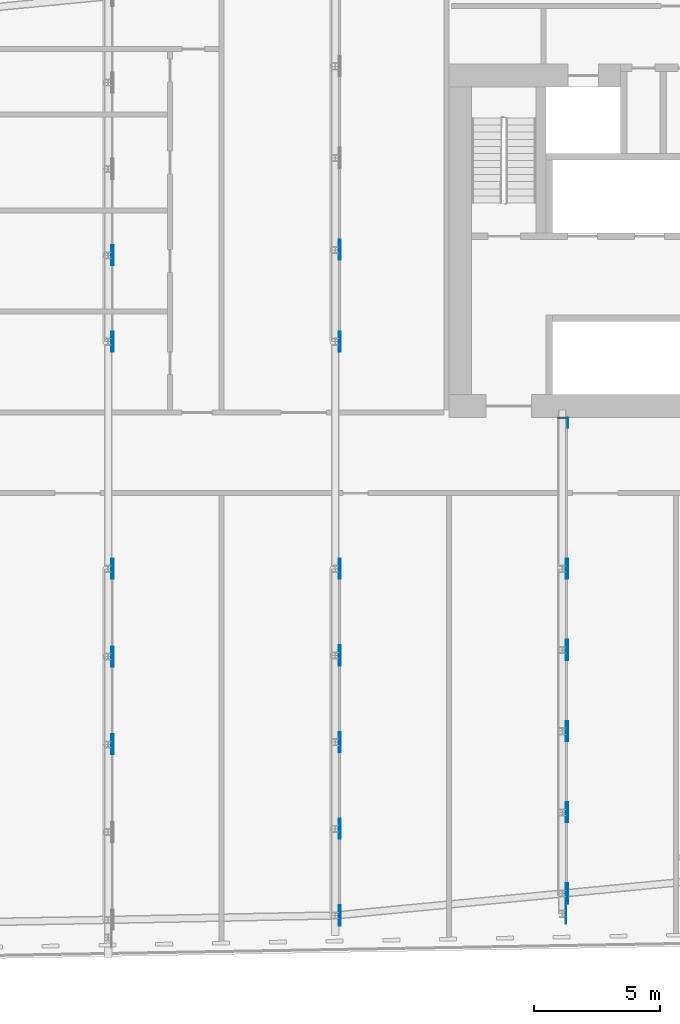
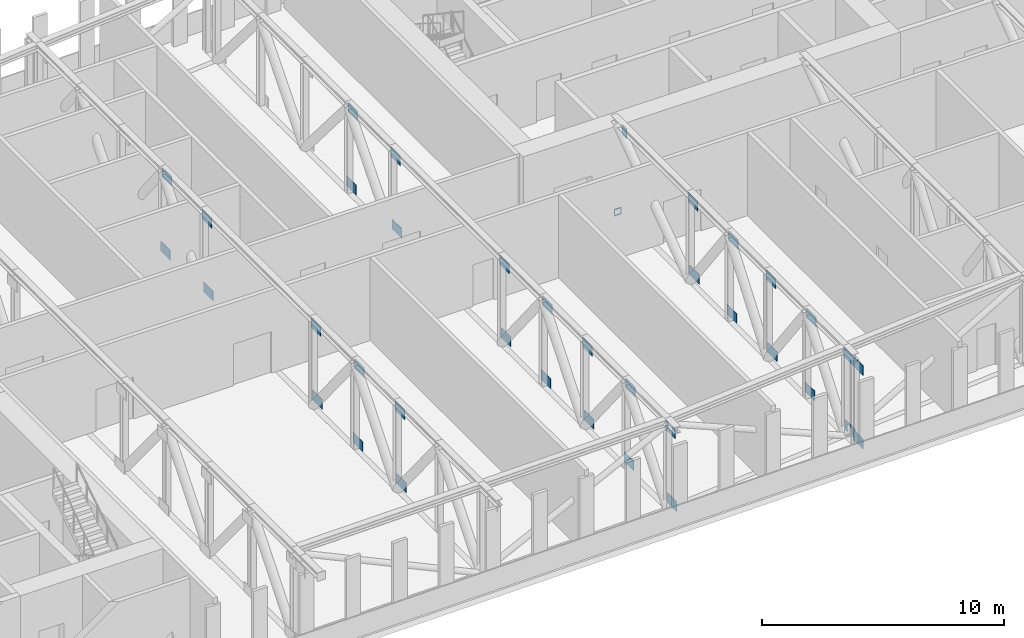
# One storey, part 17 of 26: 38 discrete accessories.
"""IFC4 building model written with IfcOpenShell, lengths in metres."""

from ifc_helpers import new_model, si_unit, direction, frame, origin, place, context, subcontext, project, spatial, polyline, outline, extrude, material, layer, layer_set, type_object, element, save


model = new_model("IFC4")

# Units and contexts
model_context = context("Model", 3, precision=1e-05, world=origin(), true_north=direction((0.0, 1.0)))
body_context = subcontext(model_context, "Body", "Model", "MODEL_VIEW")
ifc_project = project(units=[si_unit("LENGTHUNIT", "METRE"), si_unit("AREAUNIT", "SQUARE_METRE"), si_unit("VOLUMEUNIT", "CUBIC_METRE"), si_unit("PLANEANGLEUNIT", "RADIAN"), si_unit("MASSUNIT", "GRAM", prefix="KILO")], contexts=[model_context])

# Site, building, storey
site_placement = place(None, origin())
site = spatial("IfcSite", under=ifc_project, at=site_placement, CompositionType="ELEMENT")
building_placement = place(site_placement, origin())
building = spatial("IfcBuilding", under=site, at=building_placement, Name="Kajstack Hotel Tower", CompositionType="ELEMENT")
storey_placement = place(building_placement, frame((0.0, 0.0, 257.300048828125)))
storey = spatial("IfcBuildingStorey", under=building, at=storey_placement, Name="L64", CompositionType="ELEMENT", Elevation=257.300048828125)

# Discrete accessories
ifc_material = material(Name="Steel S355J2", Category="steel")
ifc_layer_1 = layer(ifc_material, 0.02490234375)
ifc_layer_set_1 = layer_set([ifc_layer_1], Name="CAST-IN PLATE")
discrete_accessory_type_1 = type_object("IfcDiscreteAccessoryType", Name="CAST-IN PLATE", PredefinedType="BRACKET", material=ifc_layer_set_1)
discrete_accessory_1_placement = place(storey_placement, frame((18.0, 1.47509765625, -0.130126953125), z_axis=(0.0, 1.0, 0.0), x_axis=(-1.0, 0.0, 0.0)))
element("IfcDiscreteAccessory", 1, at=discrete_accessory_1_placement, inside=storey, type_object=discrete_accessory_type_1, Name="Cast-in plate L64-025", PredefinedType="BRACKET", context=body_context, shape_type="SweptSolid", body=[
    extrude(outline(polyline([(-0.179931640625, -0.179931640625), (0.179931640625, -0.179931640625), (0.179931640625, 0.179931640625), (-0.179931640625, 0.179931640625), (-0.179931640625, -0.179931640625)]), holes=[polyline([(-0.1298828125, -0.1298828125), (-0.1298828125, 0.1298828125), (0.1298828125, 0.1298828125), (0.1298828125, -0.1298828125), (-0.1298828125, -0.1298828125)])]), origin(), (0.0, 0.0, 1.0), 0.02490234375),
])
ifc_layer_2 = layer(ifc_material, 0.02001953125)
ifc_layer_set_2 = layer_set([ifc_layer_2], Name="GUSSET PLATE")
discrete_accessory_type_2 = type_object("IfcDiscreteAccessoryType", Name="GUSSET PLATE", PredefinedType="BRACKET", material=ifc_layer_set_2)
for number, where, z_axis, x_axis, name in (
    (2, (0.203125, -11.45263671875, 0.0), (1.0, 0.0, 0.0), (0.0, 1.0, 0.0), "Gusset plate L64-696"),
    (3, (0.1298828125, -11.45263671875, 3.699951171875), (1.0, 0.0, 0.0), (0.0, 1.0, 0.0), "Gusset plate L64-697"),
    (4, (0.1298828125, -7.976318359375, 0.0), (1.0, 0.0, 0.0), (0.0, 1.0, 0.0), "Gusset plate L64-698"),
    (5, (0.203125, -7.976318359375, 3.699951171875), (1.0, 0.0, 0.0), (0.0, 1.0, 0.0), "Gusset plate L64-699"),
    (6, (0.203125, -4.5, 0.0), (1.0, 0.0, 0.0), (0.0, 1.0, 0.0), "Gusset plate L64-700"),
    (7, (0.1298828125, -4.5, 3.699951171875), (1.0, 0.0, 0.0), (0.0, 1.0, 0.0), "Gusset plate L64-701"),
    (8, (0.203125, 4.5, 0.0), (1.0, 0.0, 0.0), (0.0, 1.0, 0.0), "Gusset plate L64-702"),
    (9, (0.1298828125, 4.5, 3.699951171875), (1.0, 0.0, 0.0), (0.0, 1.0, 0.0), "Gusset plate L64-703"),
    (10, (0.1298828125, 7.921142578125, 0.0), (1.0, 0.0, 0.0), (0.0, 1.0, 0.0), "Gusset plate L64-704"),
    (11, (0.203125, 7.921142578125, 3.699951171875), (1.0, 0.0, 0.0), (0.0, 1.0, 0.0), "Gusset plate L64-705"),
    (12, (9.203125, -18.2294921875, 0.0), (1.0, 0.0, 0.0), (0.0, 1.0, 0.0), "Gusset plate L64-714"),
):
    element("IfcDiscreteAccessory", number, at=place(storey_placement, frame(where, z_axis=z_axis, x_axis=x_axis)), inside=storey, type_object=discrete_accessory_type_2, Name=name, PredefinedType="BRACKET", context=body_context, shape_type="SweptSolid", body=[
        extrude(outline(polyline([(-0.39990234375, 0.0), (0.39990234375, 0.0), (0.39990234375, 0.5), (-0.39990234375, 0.5), (-0.39990234375, 0.0)])), origin(), (0.0, 0.0, 1.0), 0.02001953125),
    ])
discrete_accessory_2_placement = place(storey_placement, frame((9.1298828125, -18.2294921875, 3.699951171875), z_axis=(1.0, 0.0, 0.0), x_axis=(0.0, 1.0, 0.0)))
element("IfcDiscreteAccessory", 13, at=discrete_accessory_2_placement, inside=storey, type_object=discrete_accessory_type_2, Name="Gusset plate L64-715", PredefinedType="BRACKET", context=body_context, shape_type="SweptSolid", body=[
    extrude(outline(polyline([(0.39990234375, 0.5), (0.223388671875, 0.5), (0.236083984375, 0.431884765625), (0.236328125, 0.39208984375), (0.2333984375, 0.372314453125), (0.221923828125, 0.334228515625), (0.203369140625, 0.299072265625), (0.17822265625, 0.268310546875), (0.16357421875, 0.2548828125), (0.130615234375, 0.232666015625), (0.09375, 0.21728515625), (0.0546875, 0.209228515625), (0.034912109375, 0.208251953125), (-0.0048828125, 0.2119140625), (-0.04296875, 0.223388671875), (-0.078125, 0.2421875), (-0.093994140625, 0.25390625), (-0.122314453125, 0.281982421875), (-0.14453125, 0.31494140625), (-0.159912109375, 0.3515625), (-0.1806640625, 0.44970703125), (-0.192138671875, 0.474609375), (-0.199462890625, 0.5), (-0.39990234375, 0.5), (-0.39990234375, 0.0), (0.39990234375, 0.0), (0.39990234375, 0.5)])), origin(), (0.0, 0.0, 1.0), 0.02001953125),
])
for number, where, z_axis, x_axis, name in (
    (14, (9.1298828125, -14.797119140625, 0.0), (1.0, 0.0, 0.0), (0.0, 1.0, 0.0), "Gusset plate L64-716"),
    (15, (9.203125, -14.797119140625, 3.699951171875), (1.0, 0.0, 0.0), (0.0, 1.0, 0.0), "Gusset plate L64-717"),
    (16, (9.203125, -11.36474609375, 0.0), (1.0, 0.0, 0.0), (0.0, 1.0, 0.0), "Gusset plate L64-718"),
    (17, (9.1298828125, -11.36474609375, 3.699951171875), (1.0, 0.0, 0.0), (0.0, 1.0, 0.0), "Gusset plate L64-719"),
    (18, (9.1298828125, -7.932373046875, 0.0), (1.0, 0.0, 0.0), (0.0, 1.0, 0.0), "Gusset plate L64-720"),
    (19, (9.203125, -7.932373046875, 3.699951171875), (1.0, 0.0, 0.0), (0.0, 1.0, 0.0), "Gusset plate L64-721"),
    (20, (9.203125, -4.5, 0.0), (1.0, 0.0, 0.0), (0.0, 1.0, 0.0), "Gusset plate L64-722"),
    (21, (9.1298828125, -4.5, 3.699951171875), (1.0, 0.0, 0.0), (0.0, 1.0, 0.0), "Gusset plate L64-723"),
    (22, (9.203125, 4.5, 0.0), (1.0, 0.0, 0.0), (0.0, 1.0, 0.0), "Gusset plate L64-724"),
    (23, (9.1298828125, 4.5, 3.699951171875), (1.0, 0.0, 0.0), (0.0, 1.0, 0.0), "Gusset plate L64-725"),
    (24, (9.1298828125, 8.137939453125, 0.0), (1.0, 0.0, 0.0), (0.0, 1.0, 0.0), "Gusset plate L64-726"),
    (25, (9.203125, 8.137939453125, 3.699951171875), (1.0, 0.0, 0.0), (0.0, 1.0, 0.0), "Gusset plate L64-727"),
    (26, (18.1298828125, -18.16259765625, 0.0), (1.0, 0.0, 0.0), (0.0, 1.0, 0.0), "Gusset plate L64-736"),
    (27, (18.1298828125, -18.16259765625, 3.699951171875), (1.0, 0.0, 0.0), (0.0, 1.0, 0.0), "Gusset plate L64-737"),
):
    element("IfcDiscreteAccessory", number, at=place(storey_placement, frame(where, z_axis=z_axis, x_axis=x_axis)), inside=storey, type_object=discrete_accessory_type_2, Name=name, PredefinedType="BRACKET", context=body_context, shape_type="SweptSolid", body=[
        extrude(outline(polyline([(-0.39990234375, 0.0), (0.39990234375, 0.0), (0.39990234375, 0.5), (-0.39990234375, 0.5), (-0.39990234375, 0.0)])), origin(), (0.0, 0.0, 1.0), 0.02001953125),
    ])
discrete_accessory_3_placement = place(storey_placement, frame((18.203125, -17.36279296875, 0.0), z_axis=(1.0, 0.0, 0.0), x_axis=(0.0, 1.0, 0.0)))
element("IfcDiscreteAccessory", 28, at=discrete_accessory_3_placement, inside=storey, type_object=discrete_accessory_type_2, Name="Gusset plate L64-738", PredefinedType="BRACKET", context=body_context, shape_type="SweptSolid", body=[
    extrude(outline(polyline([(-0.39990234375, 0.0), (-0.203125, 0.0), (-0.199462890625, 0.03955078125), (-0.15771484375, 0.243896484375), (-0.15283203125, 0.26318359375), (-0.137451171875, 0.2998046875), (-0.115234375, 0.332763671875), (-0.087158203125, 0.36083984375), (-0.071044921875, 0.372802734375), (-0.053955078125, 0.3828125), (-0.01708984375, 0.39794921875), (0.002197265625, 0.40283203125), (0.0419921875, 0.406494140625), (0.08154296875, 0.402587890625), (0.100830078125, 0.397705078125), (0.137451171875, 0.38232421875), (0.154541015625, 0.3720703125), (0.185302734375, 0.3466796875), (0.19873046875, 0.331787109375), (0.21044921875, 0.315673828125), (0.22900390625, 0.280517578125), (0.235595703125, 0.26171875), (0.243408203125, 0.22265625), (0.2431640625, 0.182861328125), (0.207275390625, 0.0), (0.39990234375, 0.0), (0.39990234375, 0.5), (-0.39990234375, 0.5), (-0.39990234375, 0.0)])), origin(), (0.0, 0.0, 1.0), 0.02001953125),
])
for number, where, z_axis, x_axis, name in (
    (29, (18.1298828125, -17.36279296875, 3.699951171875), (1.0, 0.0, 0.0), (0.0, 1.0, 0.0), "Gusset plate L64-739"),
    (30, (18.1298828125, -14.14697265625, 0.0), (1.0, 0.0, 0.0), (0.0, 1.0, 0.0), "Gusset plate L64-740"),
    (31, (18.203125, -14.14697265625, 3.699951171875), (1.0, 0.0, 0.0), (0.0, 1.0, 0.0), "Gusset plate L64-741"),
    (32, (18.203125, -10.931396484375, 0.0), (1.0, 0.0, 0.0), (0.0, 1.0, 0.0), "Gusset plate L64-742"),
    (33, (18.1298828125, -10.931396484375, 3.699951171875), (1.0, 0.0, 0.0), (0.0, 1.0, 0.0), "Gusset plate L64-743"),
    (34, (18.1298828125, -7.7158203125, 0.0), (1.0, 0.0, 0.0), (0.0, 1.0, 0.0), "Gusset plate L64-744"),
    (35, (18.203125, -7.7158203125, 3.699951171875), (1.0, 0.0, 0.0), (0.0, 1.0, 0.0), "Gusset plate L64-745"),
    (36, (18.203125, -4.5, 0.0), (1.0, 0.0, 0.0), (0.0, 1.0, 0.0), "Gusset plate L64-746"),
    (37, (18.1298828125, -4.5, 3.699951171875), (1.0, 0.0, 0.0), (0.0, 1.0, 0.0), "Gusset plate L64-747"),
):
    element("IfcDiscreteAccessory", number, at=place(storey_placement, frame(where, z_axis=z_axis, x_axis=x_axis)), inside=storey, type_object=discrete_accessory_type_2, Name=name, PredefinedType="BRACKET", context=body_context, shape_type="SweptSolid", body=[
        extrude(outline(polyline([(-0.39990234375, 0.0), (0.39990234375, 0.0), (0.39990234375, 0.5), (-0.39990234375, 0.5), (-0.39990234375, 0.0)])), origin(), (0.0, 0.0, 1.0), 0.02001953125),
    ])
discrete_accessory_4_placement = place(storey_placement, frame((18.203125, 1.5, 3.699951171875), z_axis=(1.0, 0.0, 0.0), x_axis=(0.0, 1.0, 0.0)))
element("IfcDiscreteAccessory", 38, at=discrete_accessory_4_placement, inside=storey, type_object=discrete_accessory_type_2, Name="Gusset plate L64-748", PredefinedType="BRACKET", context=body_context, shape_type="SweptSolid", body=[
    extrude(outline(polyline([(-0.39990234375, 0.0), (-0.0048828125, 0.0), (-0.0048828125, 0.5), (-0.39990234375, 0.5), (-0.39990234375, 0.0)])), origin(), (0.0, 0.0, 1.0), 0.02001953125),
])

save(model, "model.ifc")
